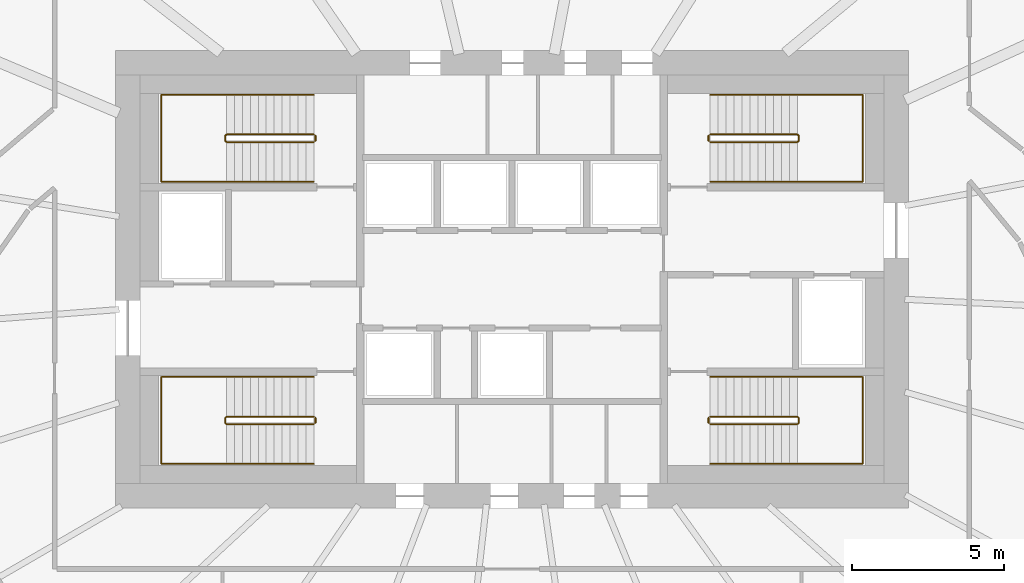
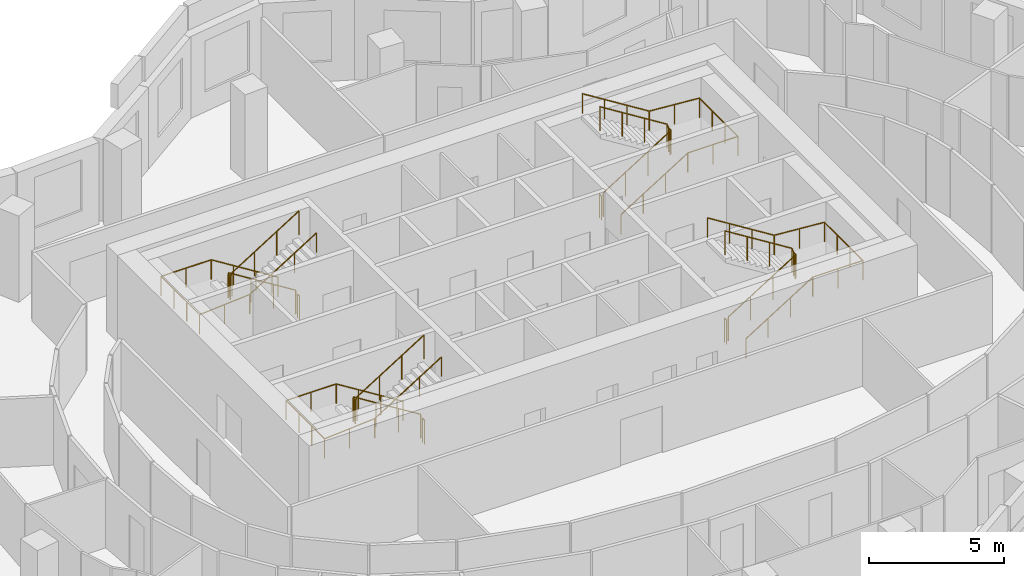
# One storey, part 11 of 11: 12 railings.
"""IFC4 building model written with IfcOpenShell, lengths in metres."""

from ifc_helpers import new_model, si_unit, direction, frame, origin, origin_2d, place, context, subcontext, project, spatial, circle, extrude, material, type_object, element, save


model = new_model("IFC4")

# Units and contexts
model_context = context("Model", 3, precision=1e-05, world=origin(), true_north=direction((0.0, 1.0)))
body_context = subcontext(model_context, "Body", "Model", "MODEL_VIEW")
ifc_project = project(units=[si_unit("LENGTHUNIT", "METRE"), si_unit("AREAUNIT", "SQUARE_METRE"), si_unit("VOLUMEUNIT", "CUBIC_METRE"), si_unit("PLANEANGLEUNIT", "RADIAN"), si_unit("MASSUNIT", "GRAM", prefix="KILO")], contexts=[model_context])

# Site, building, storey
site_placement = place(None, origin())
site = spatial("IfcSite", under=ifc_project, at=site_placement, CompositionType="ELEMENT")
building_placement = place(site_placement, origin())
building = spatial("IfcBuilding", under=site, at=building_placement, Name="Rubra Terraces Tower", CompositionType="ELEMENT")
storey_placement = place(building_placement, frame((0.0, 0.0, 185.699951171875)))
storey = spatial("IfcBuildingStorey", under=building, at=storey_placement, Name="L45", CompositionType="ELEMENT", Elevation=185.699951171875)

# Railings
ifc_material = material(Name="Stainless steel", Category="steel")
railing_type_1 = type_object("IfcRailingType", Name="Core stair guard 1100", PredefinedType="GUARDRAIL", material=ifc_material)
railing_1_placement = place(storey_placement, frame((-6.5, 0.0, 0.16259765625)))
element("IfcRailing", 1, at=railing_1_placement, inside=storey, type_object=railing_type_1, Name="L45 stair S1 guard 1", PredefinedType="GUARDRAIL", context=body_context, shape_type="SweptSolid", body=[
    extrude(circle(Radius=0.02392578125, at=origin_2d()), frame((0.0, 0.0, 1.076171875), z_axis=(-0.848026770018, 0.0, 0.529953391661), x_axis=(0.0, -1.0, 0.0)), (0.0, 0.0, 1.0), 3.37255859375),
    extrude(circle(Radius=0.02392578125, at=origin_2d()), frame((-2.860107421875, 0.0, 2.86328125), z_axis=(-0.705375805398, -0.708833529934, 0.0), x_axis=(0.708833529934, -0.705375805398, 0.0)), (0.0, 0.0, 1.0), 0.070556640625),
    extrude(circle(Radius=0.02392578125, at=origin_2d()), frame((-2.909912109375, -0.050048828125, 2.86328125), z_axis=(0.0, -1.0, 0.0), x_axis=(1.0, 0.0, 0.0)), (0.0, 0.0, 1.0), 0.14990234375),
    extrude(circle(Radius=0.02392578125, at=origin_2d()), frame((-2.909912109375, -0.199951171875, 2.86328125), z_axis=(0.280959487676, -0.282336740067, 0.917250092119), x_axis=(0.708833529934, 0.705375805398, 0.0)), (0.0, 0.0, 1.0), 0.17724609375),
    extrude(circle(Radius=0.02392578125, at=origin_2d()), frame((-2.860107421875, -0.25, 3.02587890625), z_axis=(0.847994237388, 0.0, 0.530005446535), x_axis=(0.0, 1.0, 0.0)), (0.0, 0.0, 1.0), 3.372802734375),
    extrude(circle(Radius=0.02099609375, at=origin_2d()), origin(), (0.0, 0.0, 1.0), 1.052001953125),
    extrude(circle(Radius=0.02099609375, at=origin_2d()), frame((-0.953369140625, 0.0, 0.595703125)), (0.0, 0.0, 1.0), 1.052001953125),
    extrude(circle(Radius=0.02099609375, at=origin_2d()), frame((-1.90673828125, 0.0, 1.191650390625)), (0.0, 0.0, 1.0), 1.052001953125),
    extrude(circle(Radius=0.02099609375, at=origin_2d()), frame((-2.860107421875, 0.0, 1.787353515625)), (0.0, 0.0, 1.0), 1.052001953125),
    extrude(circle(Radius=0.02099609375, at=origin_2d()), frame((-2.909912109375, -0.050048828125, 1.787353515625)), (0.0, 0.0, 1.0), 1.052001953125),
    extrude(circle(Radius=0.02099609375, at=origin_2d()), frame((-2.909912109375, -0.199951171875, 1.787353515625)), (0.0, 0.0, 1.0), 1.052001953125),
    extrude(circle(Radius=0.02099609375, at=origin_2d()), frame((-2.860107421875, -0.25, 1.949951171875)), (0.0, 0.0, 1.0), 1.052001953125),
    extrude(circle(Radius=0.02099609375, at=origin_2d()), frame((-1.90673828125, -0.25, 2.5458984375)), (0.0, 0.0, 1.0), 1.052001953125),
    extrude(circle(Radius=0.02099609375, at=origin_2d()), frame((-0.953369140625, -0.25, 3.1416015625)), (0.0, 0.0, 1.0), 1.052001953125),
    extrude(circle(Radius=0.02099609375, at=origin_2d()), frame((0.0, -0.25, 3.737548828125)), (0.0, 0.0, 1.0), 1.052001953125),
])
railing_2_placement = place(storey_placement, frame((-6.449951171875, -0.050048828125, 0.0)))
element("IfcRailing", 2, at=railing_2_placement, inside=storey, type_object=railing_type_1, Name="L45 stair S1 guard 2", PredefinedType="GUARDRAIL", context=body_context, shape_type="SweptSolid", body=[
    extrude(circle(Radius=0.02392578125, at=origin_2d()), frame((0.0, 0.0, 1.076171875), z_axis=(0.0, -1.0, 0.0), x_axis=(1.0, 0.0, 0.0)), (0.0, 0.0, 1.0), 0.14990234375),
    extrude(circle(Radius=0.02099609375, at=origin_2d()), origin(), (0.0, 0.0, 1.0), 1.052001953125),
    extrude(circle(Radius=0.02099609375, at=origin_2d()), frame((0.0, -0.14990234375, 0.0)), (0.0, 0.0, 1.0), 1.052001953125),
])
railing_3_placement = place(storey_placement, frame((-6.5, 9.25, 0.16259765625)))
element("IfcRailing", 3, at=railing_3_placement, inside=storey, type_object=railing_type_1, Name="L45 stair S2 guard 1", PredefinedType="GUARDRAIL", context=body_context, shape_type="SweptSolid", body=[
    extrude(circle(Radius=0.02392578125, at=origin_2d()), frame((0.0, 0.0, 1.076171875), z_axis=(-0.848026770018, 0.0, 0.529953391661), x_axis=(0.0, -1.0, 0.0)), (0.0, 0.0, 1.0), 3.37255859375),
    extrude(circle(Radius=0.02392578125, at=origin_2d()), frame((-2.860107421875, 0.0, 2.86328125), z_axis=(-0.705375805398, -0.708833529934, 0.0), x_axis=(0.708833529934, -0.705375805398, 0.0)), (0.0, 0.0, 1.0), 0.070556640625),
    extrude(circle(Radius=0.02392578125, at=origin_2d()), frame((-2.909912109375, -0.050048828125, 2.86328125), z_axis=(0.0, -1.0, 0.0), x_axis=(1.0, 0.0, 0.0)), (0.0, 0.0, 1.0), 0.14990234375),
    extrude(circle(Radius=0.02392578125, at=origin_2d()), frame((-2.909912109375, -0.199951171875, 2.86328125), z_axis=(0.280959487676, -0.282336740067, 0.917250092119), x_axis=(0.708833529934, 0.705375805398, 0.0)), (0.0, 0.0, 1.0), 0.17724609375),
    extrude(circle(Radius=0.02392578125, at=origin_2d()), frame((-2.860107421875, -0.25, 3.02587890625), z_axis=(0.847994237388, 0.0, 0.530005446535), x_axis=(0.0, 1.0, 0.0)), (0.0, 0.0, 1.0), 3.372802734375),
    extrude(circle(Radius=0.02099609375, at=origin_2d()), origin(), (0.0, 0.0, 1.0), 1.052001953125),
    extrude(circle(Radius=0.02099609375, at=origin_2d()), frame((-0.953369140625, 0.0, 0.595703125)), (0.0, 0.0, 1.0), 1.052001953125),
    extrude(circle(Radius=0.02099609375, at=origin_2d()), frame((-1.90673828125, 0.0, 1.191650390625)), (0.0, 0.0, 1.0), 1.052001953125),
    extrude(circle(Radius=0.02099609375, at=origin_2d()), frame((-2.860107421875, 0.0, 1.787353515625)), (0.0, 0.0, 1.0), 1.052001953125),
    extrude(circle(Radius=0.02099609375, at=origin_2d()), frame((-2.909912109375, -0.050048828125, 1.787353515625)), (0.0, 0.0, 1.0), 1.052001953125),
    extrude(circle(Radius=0.02099609375, at=origin_2d()), frame((-2.909912109375, -0.199951171875, 1.787353515625)), (0.0, 0.0, 1.0), 1.052001953125),
    extrude(circle(Radius=0.02099609375, at=origin_2d()), frame((-2.860107421875, -0.25, 1.949951171875)), (0.0, 0.0, 1.0), 1.052001953125),
    extrude(circle(Radius=0.02099609375, at=origin_2d()), frame((-1.90673828125, -0.25, 2.5458984375)), (0.0, 0.0, 1.0), 1.052001953125),
    extrude(circle(Radius=0.02099609375, at=origin_2d()), frame((-0.953369140625, -0.25, 3.1416015625)), (0.0, 0.0, 1.0), 1.052001953125),
    extrude(circle(Radius=0.02099609375, at=origin_2d()), frame((0.0, -0.25, 3.737548828125)), (0.0, 0.0, 1.0), 1.052001953125),
])
railing_4_placement = place(storey_placement, frame((-6.449951171875, 9.199951171875, 0.0)))
element("IfcRailing", 4, at=railing_4_placement, inside=storey, type_object=railing_type_1, Name="L45 stair S2 guard 2", PredefinedType="GUARDRAIL", context=body_context, shape_type="SweptSolid", body=[
    extrude(circle(Radius=0.02392578125, at=origin_2d()), frame((0.0, 0.0, 1.076171875), z_axis=(0.0, -1.0, 0.0), x_axis=(1.0, 0.0, 0.0)), (0.0, 0.0, 1.0), 0.14990234375),
    extrude(circle(Radius=0.02099609375, at=origin_2d()), origin(), (0.0, 0.0, 1.0), 1.052001953125),
    extrude(circle(Radius=0.02099609375, at=origin_2d()), frame((0.0, -0.14990234375, 0.0)), (0.0, 0.0, 1.0), 1.052001953125),
])
railing_5_placement = place(storey_placement, frame((6.5, 9.0, 0.16259765625)))
element("IfcRailing", 5, at=railing_5_placement, inside=storey, type_object=railing_type_1, Name="L45 stair S3 guard 1", PredefinedType="GUARDRAIL", context=body_context, shape_type="SweptSolid", body=[
    extrude(circle(Radius=0.02392578125, at=origin_2d()), frame((0.0, 0.0, 1.076171875), z_axis=(0.848026770018, 0.0, 0.529953391661), x_axis=(0.0, 1.0, 0.0)), (0.0, 0.0, 1.0), 3.37255859375),
    extrude(circle(Radius=0.02392578125, at=origin_2d()), frame((2.860107421875, 0.0, 2.86328125), z_axis=(0.705375805398, 0.708833529934, 0.0), x_axis=(-0.708833529934, 0.705375805398, 0.0)), (0.0, 0.0, 1.0), 0.070556640625),
    extrude(circle(Radius=0.02392578125, at=origin_2d()), frame((2.909912109375, 0.050048828125, 2.86328125), z_axis=(0.0, 1.0, 0.0), x_axis=(-1.0, 0.0, 0.0)), (0.0, 0.0, 1.0), 0.14990234375),
    extrude(circle(Radius=0.02392578125, at=origin_2d()), frame((2.909912109375, 0.199951171875, 2.86328125), z_axis=(-0.280959487676, 0.282336740067, 0.917250092119), x_axis=(-0.708833529934, -0.705375805398, 0.0)), (0.0, 0.0, 1.0), 0.17724609375),
    extrude(circle(Radius=0.02392578125, at=origin_2d()), frame((2.860107421875, 0.25, 3.02587890625), z_axis=(-0.847994237388, 0.0, 0.530005446535), x_axis=(0.0, -1.0, 0.0)), (0.0, 0.0, 1.0), 3.372802734375),
    extrude(circle(Radius=0.02099609375, at=origin_2d()), origin(), (0.0, 0.0, 1.0), 1.052001953125),
    extrude(circle(Radius=0.02099609375, at=origin_2d()), frame((0.953369140625, 0.0, 0.595703125)), (0.0, 0.0, 1.0), 1.052001953125),
    extrude(circle(Radius=0.02099609375, at=origin_2d()), frame((1.90673828125, 0.0, 1.191650390625)), (0.0, 0.0, 1.0), 1.052001953125),
    extrude(circle(Radius=0.02099609375, at=origin_2d()), frame((2.860107421875, 0.0, 1.787353515625)), (0.0, 0.0, 1.0), 1.052001953125),
    extrude(circle(Radius=0.02099609375, at=origin_2d()), frame((2.909912109375, 0.050048828125, 1.787353515625)), (0.0, 0.0, 1.0), 1.052001953125),
    extrude(circle(Radius=0.02099609375, at=origin_2d()), frame((2.909912109375, 0.199951171875, 1.787353515625)), (0.0, 0.0, 1.0), 1.052001953125),
    extrude(circle(Radius=0.02099609375, at=origin_2d()), frame((2.860107421875, 0.25, 1.949951171875)), (0.0, 0.0, 1.0), 1.052001953125),
    extrude(circle(Radius=0.02099609375, at=origin_2d()), frame((1.90673828125, 0.25, 2.5458984375)), (0.0, 0.0, 1.0), 1.052001953125),
    extrude(circle(Radius=0.02099609375, at=origin_2d()), frame((0.953369140625, 0.25, 3.1416015625)), (0.0, 0.0, 1.0), 1.052001953125),
    extrude(circle(Radius=0.02099609375, at=origin_2d()), frame((0.0, 0.25, 3.737548828125)), (0.0, 0.0, 1.0), 1.052001953125),
])
railing_6_placement = place(storey_placement, frame((6.449951171875, 9.050048828125, 0.0)))
element("IfcRailing", 6, at=railing_6_placement, inside=storey, type_object=railing_type_1, Name="L45 stair S3 guard 2", PredefinedType="GUARDRAIL", context=body_context, shape_type="SweptSolid", body=[
    extrude(circle(Radius=0.02392578125, at=origin_2d()), frame((0.0, 0.0, 1.076171875), z_axis=(0.0, 1.0, 0.0), x_axis=(-1.0, 0.0, 0.0)), (0.0, 0.0, 1.0), 0.14990234375),
    extrude(circle(Radius=0.02099609375, at=origin_2d()), origin(), (0.0, 0.0, 1.0), 1.052001953125),
    extrude(circle(Radius=0.02099609375, at=origin_2d()), frame((0.0, 0.14990234375, 0.0)), (0.0, 0.0, 1.0), 1.052001953125),
])
railing_7_placement = place(storey_placement, frame((6.5, -0.25, 0.16259765625)))
element("IfcRailing", 7, at=railing_7_placement, inside=storey, type_object=railing_type_1, Name="L45 stair S4 guard 1", PredefinedType="GUARDRAIL", context=body_context, shape_type="SweptSolid", body=[
    extrude(circle(Radius=0.02392578125, at=origin_2d()), frame((0.0, 0.0, 1.076171875), z_axis=(0.848026770018, 0.0, 0.529953391661), x_axis=(0.0, 1.0, 0.0)), (0.0, 0.0, 1.0), 3.37255859375),
    extrude(circle(Radius=0.02392578125, at=origin_2d()), frame((2.860107421875, 0.0, 2.86328125), z_axis=(0.705375805398, 0.708833529934, 0.0), x_axis=(-0.708833529934, 0.705375805398, 0.0)), (0.0, 0.0, 1.0), 0.070556640625),
    extrude(circle(Radius=0.02392578125, at=origin_2d()), frame((2.909912109375, 0.050048828125, 2.86328125), z_axis=(0.0, 1.0, 0.0), x_axis=(-1.0, 0.0, 0.0)), (0.0, 0.0, 1.0), 0.14990234375),
    extrude(circle(Radius=0.02392578125, at=origin_2d()), frame((2.909912109375, 0.199951171875, 2.86328125), z_axis=(-0.280959487676, 0.282336740067, 0.917250092119), x_axis=(-0.708833529934, -0.705375805398, 0.0)), (0.0, 0.0, 1.0), 0.17724609375),
    extrude(circle(Radius=0.02392578125, at=origin_2d()), frame((2.860107421875, 0.25, 3.02587890625), z_axis=(-0.847994237388, 0.0, 0.530005446535), x_axis=(0.0, -1.0, 0.0)), (0.0, 0.0, 1.0), 3.372802734375),
    extrude(circle(Radius=0.02099609375, at=origin_2d()), origin(), (0.0, 0.0, 1.0), 1.052001953125),
    extrude(circle(Radius=0.02099609375, at=origin_2d()), frame((0.953369140625, 0.0, 0.595703125)), (0.0, 0.0, 1.0), 1.052001953125),
    extrude(circle(Radius=0.02099609375, at=origin_2d()), frame((1.90673828125, 0.0, 1.191650390625)), (0.0, 0.0, 1.0), 1.052001953125),
    extrude(circle(Radius=0.02099609375, at=origin_2d()), frame((2.860107421875, 0.0, 1.787353515625)), (0.0, 0.0, 1.0), 1.052001953125),
    extrude(circle(Radius=0.02099609375, at=origin_2d()), frame((2.909912109375, 0.050048828125, 1.787353515625)), (0.0, 0.0, 1.0), 1.052001953125),
    extrude(circle(Radius=0.02099609375, at=origin_2d()), frame((2.909912109375, 0.199951171875, 1.787353515625)), (0.0, 0.0, 1.0), 1.052001953125),
    extrude(circle(Radius=0.02099609375, at=origin_2d()), frame((2.860107421875, 0.25, 1.949951171875)), (0.0, 0.0, 1.0), 1.052001953125),
    extrude(circle(Radius=0.02099609375, at=origin_2d()), frame((1.90673828125, 0.25, 2.5458984375)), (0.0, 0.0, 1.0), 1.052001953125),
    extrude(circle(Radius=0.02099609375, at=origin_2d()), frame((0.953369140625, 0.25, 3.1416015625)), (0.0, 0.0, 1.0), 1.052001953125),
    extrude(circle(Radius=0.02099609375, at=origin_2d()), frame((0.0, 0.25, 3.737548828125)), (0.0, 0.0, 1.0), 1.052001953125),
])
railing_8_placement = place(storey_placement, frame((6.449951171875, -0.199951171875, 0.0)))
element("IfcRailing", 8, at=railing_8_placement, inside=storey, type_object=railing_type_1, Name="L45 stair S4 guard 2", PredefinedType="GUARDRAIL", context=body_context, shape_type="SweptSolid", body=[
    extrude(circle(Radius=0.02392578125, at=origin_2d()), frame((0.0, 0.0, 1.076171875), z_axis=(0.0, 1.0, 0.0), x_axis=(-1.0, 0.0, 0.0)), (0.0, 0.0, 1.0), 0.14990234375),
    extrude(circle(Radius=0.02099609375, at=origin_2d()), origin(), (0.0, 0.0, 1.0), 1.052001953125),
    extrude(circle(Radius=0.02099609375, at=origin_2d()), frame((0.0, 0.14990234375, 0.0)), (0.0, 0.0, 1.0), 1.052001953125),
])
railing_type_2 = type_object("IfcRailingType", Name="Core stair handrail 900", PredefinedType="HANDRAIL", material=ifc_material)
railing_9_placement = place(storey_placement, frame((-6.5, 1.300048828125, 0.16259765625)))
element("IfcRailing", 9, at=railing_9_placement, inside=storey, type_object=railing_type_2, Name="L45 stair S1 handrail 1", PredefinedType="HANDRAIL", context=body_context, shape_type="SweptSolid", body=[
    extrude(circle(Radius=0.02392578125, at=origin_2d()), frame((0.0, 0.0, 0.8759765625), z_axis=(-0.848026770018, 0.0, 0.529953391661), x_axis=(0.0, -1.0, 0.0)), (0.0, 0.0, 1.0), 3.37255859375),
    extrude(circle(Radius=0.02392578125, at=origin_2d()), frame((-2.860107421875, 0.0, 2.6630859375), z_axis=(-1.0, 0.0, 0.0), x_axis=(0.0, -1.0, 0.0)), (0.0, 0.0, 1.0), 2.139892578125),
    extrude(circle(Radius=0.02392578125, at=origin_2d()), frame((-5.0, 0.0, 2.6630859375), z_axis=(0.0, -1.0, 0.0), x_axis=(1.0, 0.0, 0.0)), (0.0, 0.0, 1.0), 2.85009765625),
    extrude(circle(Radius=0.02392578125, at=origin_2d()), frame((-5.0, -2.85009765625, 2.6630859375), z_axis=(0.997125654253, 0.0, 0.075765623016), x_axis=(0.0, 1.0, 0.0)), (0.0, 0.0, 1.0), 2.14599609375),
    extrude(circle(Radius=0.02392578125, at=origin_2d()), frame((-2.860107421875, -2.85009765625, 2.82568359375), z_axis=(0.847994237388, 0.0, 0.530005446535), x_axis=(0.0, 1.0, 0.0)), (0.0, 0.0, 1.0), 3.372802734375),
    extrude(circle(Radius=0.02099609375, at=origin_2d()), origin(), (0.0, 0.0, 1.0), 0.851806640625),
    extrude(circle(Radius=0.02099609375, at=origin_2d()), frame((-0.953369140625, 0.0, 0.595703125)), (0.0, 0.0, 1.0), 0.851806640625),
    extrude(circle(Radius=0.02099609375, at=origin_2d()), frame((-1.90673828125, 0.0, 1.191650390625)), (0.0, 0.0, 1.0), 0.851806640625),
    extrude(circle(Radius=0.02099609375, at=origin_2d()), frame((-2.860107421875, 0.0, 1.787353515625)), (0.0, 0.0, 1.0), 0.851806640625),
    extrude(circle(Radius=0.02099609375, at=origin_2d()), frame((-3.93017578125, 0.0, 1.787353515625)), (0.0, 0.0, 1.0), 0.851806640625),
    extrude(circle(Radius=0.02099609375, at=origin_2d()), frame((-5.0, 0.0, 1.787353515625)), (0.0, 0.0, 1.0), 0.851806640625),
    extrude(circle(Radius=0.02099609375, at=origin_2d()), frame((-5.0, -0.949951171875, 1.787353515625)), (0.0, 0.0, 1.0), 0.851806640625),
    extrude(circle(Radius=0.02099609375, at=origin_2d()), frame((-5.0, -1.900146484375, 1.787353515625)), (0.0, 0.0, 1.0), 0.851806640625),
    extrude(circle(Radius=0.02099609375, at=origin_2d()), frame((-5.0, -2.85009765625, 1.787353515625)), (0.0, 0.0, 1.0), 0.851806640625),
    extrude(circle(Radius=0.02099609375, at=origin_2d()), frame((-3.93017578125, -2.85009765625, 1.86865234375)), (0.0, 0.0, 1.0), 0.851806640625),
    extrude(circle(Radius=0.02099609375, at=origin_2d()), frame((-2.860107421875, -2.85009765625, 1.949951171875)), (0.0, 0.0, 1.0), 0.851806640625),
    extrude(circle(Radius=0.02099609375, at=origin_2d()), frame((-1.90673828125, -2.85009765625, 2.5458984375)), (0.0, 0.0, 1.0), 0.851806640625),
    extrude(circle(Radius=0.02099609375, at=origin_2d()), frame((-0.953369140625, -2.85009765625, 3.1416015625)), (0.0, 0.0, 1.0), 0.851806640625),
    extrude(circle(Radius=0.02099609375, at=origin_2d()), frame((0.0, -2.85009765625, 3.737548828125)), (0.0, 0.0, 1.0), 0.851806640625),
])
railing_10_placement = place(storey_placement, frame((-6.5, 10.550048828125, 0.16259765625)))
element("IfcRailing", 10, at=railing_10_placement, inside=storey, type_object=railing_type_2, Name="L45 stair S2 handrail 1", PredefinedType="HANDRAIL", context=body_context, shape_type="SweptSolid", body=[
    extrude(circle(Radius=0.02392578125, at=origin_2d()), frame((0.0, 0.0, 0.8759765625), z_axis=(-0.848026770018, 0.0, 0.529953391661), x_axis=(0.0, -1.0, 0.0)), (0.0, 0.0, 1.0), 3.37255859375),
    extrude(circle(Radius=0.02392578125, at=origin_2d()), frame((-2.860107421875, 0.0, 2.6630859375), z_axis=(-1.0, 0.0, 0.0), x_axis=(0.0, -1.0, 0.0)), (0.0, 0.0, 1.0), 2.139892578125),
    extrude(circle(Radius=0.02392578125, at=origin_2d()), frame((-5.0, 0.0, 2.6630859375), z_axis=(0.0, -1.0, 0.0), x_axis=(1.0, 0.0, 0.0)), (0.0, 0.0, 1.0), 2.85009765625),
    extrude(circle(Radius=0.02392578125, at=origin_2d()), frame((-5.0, -2.85009765625, 2.6630859375), z_axis=(0.997125654253, 0.0, 0.075765623016), x_axis=(0.0, 1.0, 0.0)), (0.0, 0.0, 1.0), 2.14599609375),
    extrude(circle(Radius=0.02392578125, at=origin_2d()), frame((-2.860107421875, -2.85009765625, 2.82568359375), z_axis=(0.847994237388, 0.0, 0.530005446535), x_axis=(0.0, 1.0, 0.0)), (0.0, 0.0, 1.0), 3.372802734375),
    extrude(circle(Radius=0.02099609375, at=origin_2d()), origin(), (0.0, 0.0, 1.0), 0.851806640625),
    extrude(circle(Radius=0.02099609375, at=origin_2d()), frame((-0.953369140625, 0.0, 0.595703125)), (0.0, 0.0, 1.0), 0.851806640625),
    extrude(circle(Radius=0.02099609375, at=origin_2d()), frame((-1.90673828125, 0.0, 1.191650390625)), (0.0, 0.0, 1.0), 0.851806640625),
    extrude(circle(Radius=0.02099609375, at=origin_2d()), frame((-2.860107421875, 0.0, 1.787353515625)), (0.0, 0.0, 1.0), 0.851806640625),
    extrude(circle(Radius=0.02099609375, at=origin_2d()), frame((-3.93017578125, 0.0, 1.787353515625)), (0.0, 0.0, 1.0), 0.851806640625),
    extrude(circle(Radius=0.02099609375, at=origin_2d()), frame((-5.0, 0.0, 1.787353515625)), (0.0, 0.0, 1.0), 0.851806640625),
    extrude(circle(Radius=0.02099609375, at=origin_2d()), frame((-5.0, -0.949951171875, 1.787353515625)), (0.0, 0.0, 1.0), 0.851806640625),
    extrude(circle(Radius=0.02099609375, at=origin_2d()), frame((-5.0, -1.900146484375, 1.787353515625)), (0.0, 0.0, 1.0), 0.851806640625),
    extrude(circle(Radius=0.02099609375, at=origin_2d()), frame((-5.0, -2.85009765625, 1.787353515625)), (0.0, 0.0, 1.0), 0.851806640625),
    extrude(circle(Radius=0.02099609375, at=origin_2d()), frame((-3.93017578125, -2.85009765625, 1.86865234375)), (0.0, 0.0, 1.0), 0.851806640625),
    extrude(circle(Radius=0.02099609375, at=origin_2d()), frame((-2.860107421875, -2.85009765625, 1.949951171875)), (0.0, 0.0, 1.0), 0.851806640625),
    extrude(circle(Radius=0.02099609375, at=origin_2d()), frame((-1.90673828125, -2.85009765625, 2.5458984375)), (0.0, 0.0, 1.0), 0.851806640625),
    extrude(circle(Radius=0.02099609375, at=origin_2d()), frame((-0.953369140625, -2.85009765625, 3.1416015625)), (0.0, 0.0, 1.0), 0.851806640625),
    extrude(circle(Radius=0.02099609375, at=origin_2d()), frame((0.0, -2.85009765625, 3.737548828125)), (0.0, 0.0, 1.0), 0.851806640625),
])
railing_11_placement = place(storey_placement, frame((6.5, 7.699951171875, 0.16259765625)))
element("IfcRailing", 11, at=railing_11_placement, inside=storey, type_object=railing_type_2, Name="L45 stair S3 handrail 1", PredefinedType="HANDRAIL", context=body_context, shape_type="SweptSolid", body=[
    extrude(circle(Radius=0.02392578125, at=origin_2d()), frame((0.0, 0.0, 0.8759765625), z_axis=(0.848026770018, 0.0, 0.529953391661), x_axis=(0.0, 1.0, 0.0)), (0.0, 0.0, 1.0), 3.37255859375),
    extrude(circle(Radius=0.02392578125, at=origin_2d()), frame((2.860107421875, 0.0, 2.6630859375), z_axis=(1.0, 0.0, 0.0), x_axis=(0.0, 1.0, 0.0)), (0.0, 0.0, 1.0), 2.139892578125),
    extrude(circle(Radius=0.02392578125, at=origin_2d()), frame((5.0, 0.0, 2.6630859375), z_axis=(0.0, 1.0, 0.0), x_axis=(-1.0, 0.0, 0.0)), (0.0, 0.0, 1.0), 2.85009765625),
    extrude(circle(Radius=0.02392578125, at=origin_2d()), frame((5.0, 2.85009765625, 2.6630859375), z_axis=(-0.997125654253, 0.0, 0.075765623016), x_axis=(0.0, -1.0, 0.0)), (0.0, 0.0, 1.0), 2.14599609375),
    extrude(circle(Radius=0.02392578125, at=origin_2d()), frame((2.860107421875, 2.85009765625, 2.82568359375), z_axis=(-0.847994237388, 0.0, 0.530005446535), x_axis=(0.0, -1.0, 0.0)), (0.0, 0.0, 1.0), 3.372802734375),
    extrude(circle(Radius=0.02099609375, at=origin_2d()), origin(), (0.0, 0.0, 1.0), 0.851806640625),
    extrude(circle(Radius=0.02099609375, at=origin_2d()), frame((0.953369140625, 0.0, 0.595703125)), (0.0, 0.0, 1.0), 0.851806640625),
    extrude(circle(Radius=0.02099609375, at=origin_2d()), frame((1.90673828125, 0.0, 1.191650390625)), (0.0, 0.0, 1.0), 0.851806640625),
    extrude(circle(Radius=0.02099609375, at=origin_2d()), frame((2.860107421875, 0.0, 1.787353515625)), (0.0, 0.0, 1.0), 0.851806640625),
    extrude(circle(Radius=0.02099609375, at=origin_2d()), frame((3.93017578125, 0.0, 1.787353515625)), (0.0, 0.0, 1.0), 0.851806640625),
    extrude(circle(Radius=0.02099609375, at=origin_2d()), frame((5.0, 0.0, 1.787353515625)), (0.0, 0.0, 1.0), 0.851806640625),
    extrude(circle(Radius=0.02099609375, at=origin_2d()), frame((5.0, 0.949951171875, 1.787353515625)), (0.0, 0.0, 1.0), 0.851806640625),
    extrude(circle(Radius=0.02099609375, at=origin_2d()), frame((5.0, 1.900146484375, 1.787353515625)), (0.0, 0.0, 1.0), 0.851806640625),
    extrude(circle(Radius=0.02099609375, at=origin_2d()), frame((5.0, 2.85009765625, 1.787353515625)), (0.0, 0.0, 1.0), 0.851806640625),
    extrude(circle(Radius=0.02099609375, at=origin_2d()), frame((3.93017578125, 2.85009765625, 1.86865234375)), (0.0, 0.0, 1.0), 0.851806640625),
    extrude(circle(Radius=0.02099609375, at=origin_2d()), frame((2.860107421875, 2.85009765625, 1.949951171875)), (0.0, 0.0, 1.0), 0.851806640625),
    extrude(circle(Radius=0.02099609375, at=origin_2d()), frame((1.90673828125, 2.85009765625, 2.5458984375)), (0.0, 0.0, 1.0), 0.851806640625),
    extrude(circle(Radius=0.02099609375, at=origin_2d()), frame((0.953369140625, 2.85009765625, 3.1416015625)), (0.0, 0.0, 1.0), 0.851806640625),
    extrude(circle(Radius=0.02099609375, at=origin_2d()), frame((0.0, 2.85009765625, 3.737548828125)), (0.0, 0.0, 1.0), 0.851806640625),
])
railing_12_placement = place(storey_placement, frame((6.5, -1.550048828125, 0.16259765625)))
element("IfcRailing", 12, at=railing_12_placement, inside=storey, type_object=railing_type_2, Name="L45 stair S4 handrail 1", PredefinedType="HANDRAIL", context=body_context, shape_type="SweptSolid", body=[
    extrude(circle(Radius=0.02392578125, at=origin_2d()), frame((0.0, 0.0, 0.8759765625), z_axis=(0.848026770018, 0.0, 0.529953391661), x_axis=(0.0, 1.0, 0.0)), (0.0, 0.0, 1.0), 3.37255859375),
    extrude(circle(Radius=0.02392578125, at=origin_2d()), frame((2.860107421875, 0.0, 2.6630859375), z_axis=(1.0, 0.0, 0.0), x_axis=(0.0, 1.0, 0.0)), (0.0, 0.0, 1.0), 2.139892578125),
    extrude(circle(Radius=0.02392578125, at=origin_2d()), frame((5.0, 0.0, 2.6630859375), z_axis=(0.0, 1.0, 0.0), x_axis=(-1.0, 0.0, 0.0)), (0.0, 0.0, 1.0), 2.85009765625),
    extrude(circle(Radius=0.02392578125, at=origin_2d()), frame((5.0, 2.85009765625, 2.6630859375), z_axis=(-0.997125654253, 0.0, 0.075765623016), x_axis=(0.0, -1.0, 0.0)), (0.0, 0.0, 1.0), 2.14599609375),
    extrude(circle(Radius=0.02392578125, at=origin_2d()), frame((2.860107421875, 2.85009765625, 2.82568359375), z_axis=(-0.847994237388, 0.0, 0.530005446535), x_axis=(0.0, -1.0, 0.0)), (0.0, 0.0, 1.0), 3.372802734375),
    extrude(circle(Radius=0.02099609375, at=origin_2d()), origin(), (0.0, 0.0, 1.0), 0.851806640625),
    extrude(circle(Radius=0.02099609375, at=origin_2d()), frame((0.953369140625, 0.0, 0.595703125)), (0.0, 0.0, 1.0), 0.851806640625),
    extrude(circle(Radius=0.02099609375, at=origin_2d()), frame((1.90673828125, 0.0, 1.191650390625)), (0.0, 0.0, 1.0), 0.851806640625),
    extrude(circle(Radius=0.02099609375, at=origin_2d()), frame((2.860107421875, 0.0, 1.787353515625)), (0.0, 0.0, 1.0), 0.851806640625),
    extrude(circle(Radius=0.02099609375, at=origin_2d()), frame((3.93017578125, 0.0, 1.787353515625)), (0.0, 0.0, 1.0), 0.851806640625),
    extrude(circle(Radius=0.02099609375, at=origin_2d()), frame((5.0, 0.0, 1.787353515625)), (0.0, 0.0, 1.0), 0.851806640625),
    extrude(circle(Radius=0.02099609375, at=origin_2d()), frame((5.0, 0.949951171875, 1.787353515625)), (0.0, 0.0, 1.0), 0.851806640625),
    extrude(circle(Radius=0.02099609375, at=origin_2d()), frame((5.0, 1.900146484375, 1.787353515625)), (0.0, 0.0, 1.0), 0.851806640625),
    extrude(circle(Radius=0.02099609375, at=origin_2d()), frame((5.0, 2.85009765625, 1.787353515625)), (0.0, 0.0, 1.0), 0.851806640625),
    extrude(circle(Radius=0.02099609375, at=origin_2d()), frame((3.93017578125, 2.85009765625, 1.86865234375)), (0.0, 0.0, 1.0), 0.851806640625),
    extrude(circle(Radius=0.02099609375, at=origin_2d()), frame((2.860107421875, 2.85009765625, 1.949951171875)), (0.0, 0.0, 1.0), 0.851806640625),
    extrude(circle(Radius=0.02099609375, at=origin_2d()), frame((1.90673828125, 2.85009765625, 2.5458984375)), (0.0, 0.0, 1.0), 0.851806640625),
    extrude(circle(Radius=0.02099609375, at=origin_2d()), frame((0.953369140625, 2.85009765625, 3.1416015625)), (0.0, 0.0, 1.0), 0.851806640625),
    extrude(circle(Radius=0.02099609375, at=origin_2d()), frame((0.0, 2.85009765625, 3.737548828125)), (0.0, 0.0, 1.0), 0.851806640625),
])

save(model, "model.ifc")
